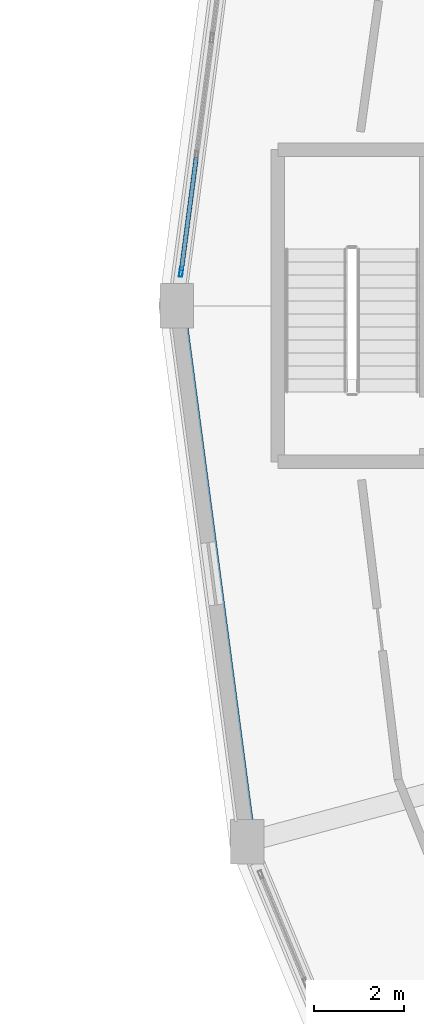
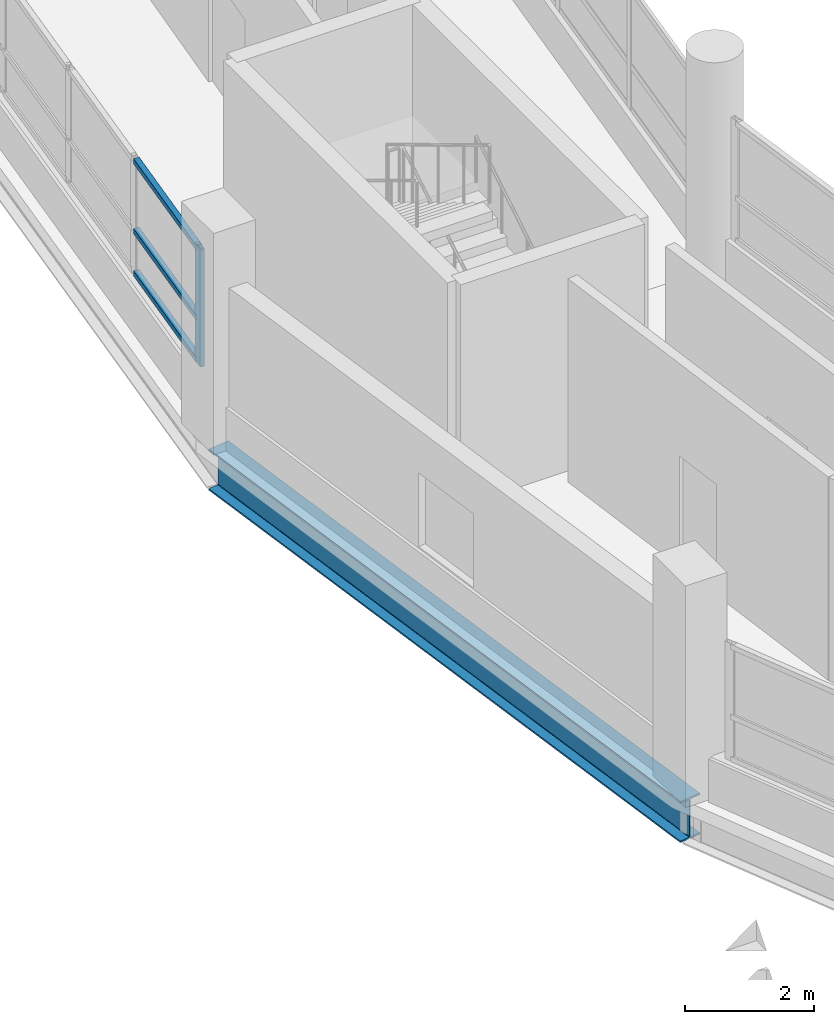
# One storey, part 29 of 128: 4 members, 1 beam, 1 element without a shape of its own.
"""IFC4 building model written with IfcOpenShell, lengths in metres."""

from ifc_helpers import new_model, si_unit, direction, frame, origin, origin_2d, place, context, subcontext, project, spatial, hollow_rectangle, i_section, extrude, material, layer, layer_set, material_profile, profile_set, type_object, element, aggregate, save


model = new_model("IFC4")

# Units and contexts
model_context = context("Model", 3, precision=1e-05, world=origin(), true_north=direction((0.0, 1.0)))
body_context = subcontext(model_context, "Body", "Model", "MODEL_VIEW")
ifc_project = project(units=[si_unit("LENGTHUNIT", "METRE"), si_unit("AREAUNIT", "SQUARE_METRE"), si_unit("VOLUMEUNIT", "CUBIC_METRE"), si_unit("PLANEANGLEUNIT", "RADIAN"), si_unit("MASSUNIT", "GRAM", prefix="KILO")], contexts=[model_context])

# Site, building, storey
site_placement = place(None, origin())
site = spatial("IfcSite", under=ifc_project, at=site_placement, CompositionType="ELEMENT")
building_placement = place(site_placement, origin())
building = spatial("IfcBuilding", under=site, at=building_placement, Name="Vespera Passage Community Centre", CompositionType="ELEMENT")
storey_placement = place(building_placement, frame((0.0, 0.0, 4.5)))
storey = spatial("IfcBuildingStorey", under=building, at=storey_placement, Name="L01", CompositionType="ELEMENT", Elevation=4.5)

# Beam
ifc_material_1 = material(Name="Steel ASTM A992 Grade 50", Category="steel")
ifc_material_profile_1 = material_profile(ifc_material_1, i_section(OverallWidth=0.382080078125, OverallDepth=0.779296875, WebThickness=0.01806640625, FlangeThickness=0.030029296875, FilletRadius=0.0166015625, at=origin_2d()), Name="W30X191")
ifc_profile_set_1 = profile_set([ifc_material_profile_1], Name="Steel ASTM A992 Grade 50")
beam_type = type_object("IfcBeamType", Name="BM-SP-W30X191E", PredefinedType="SPANDREL", material=ifc_profile_set_1)
beam_placement = place(storey_placement, frame((31.89990234375, 65.5, -0.629638671875), z_axis=(0.130523782115, -0.991445178667, 0.0), x_axis=(0.991445178667, 0.130523782115, 0.0)))
element("IfcBeam", 1, at=beam_placement, inside=storey, type_object=beam_type, Name="V4 L01 Outer Spandrel 12", PredefinedType="SPANDREL", context=body_context, shape_type="SweptSolid", body=[
    extrude(i_section(OverallWidth=0.382080078125, OverallDepth=0.779296875, WebThickness=0.01806640625, FlangeThickness=0.030029296875, FilletRadius=0.0166015625, at=origin_2d()), origin(), (0.0, 0.0, 1.0), 12.03466796875),
])

# Curtain wall, members
ifc_material_2 = material(Name="Anodized aluminium 6063-T6", Category="aluminium")
ifc_layer = layer(ifc_material_2, 0.159912109375)
ifc_layer_set = layer_set([ifc_layer], Name="Anodized aluminium 6063-T6")
curtain_wall_type = type_object("IfcCurtainWallType", Name="CW-21E", PredefinedType="NOTDEFINED", material=ifc_layer_set)
curtain_wall_placement = place(storey_placement, origin())
curtain_wall = element("IfcCurtainWall", 2, at=curtain_wall_placement, inside=storey, type_object=curtain_wall_type, Name="V4 L01 Outer Ribbon Curtain Wall 11", PredefinedType="NOTDEFINED")
ifc_material_3 = material(Name="Anodized aluminium 6063-T6", Category="aluminium")
ifc_material_profile_2 = material_profile(ifc_material_3, hollow_rectangle(XDim=0.074951171875, YDim=0.2099609375, WallThickness=0.0048828125, InnerFilletRadius=0.00244140625, OuterFilletRadius=0.0048828125, at=origin_2d()), Name="ALU210X75X5")
ifc_profile_set_2 = profile_set([ifc_material_profile_2], Name="Anodized aluminium 6063-T6")
member_type_1 = type_object("IfcMemberType", Name="MB-CWM-210E", PredefinedType="MULLION", material=ifc_profile_set_2)
member_1_placement = place(storey_placement, frame((31.998779296875, 66.25048828125, 0.820068359375), z_axis=(0.0, 0.0, 1.0), x_axis=(-0.991445298818, 0.130522869458, 0.0)))
member_1 = element("IfcMember", 3, at=member_1_placement, type_object=member_type_1, Name="CW-21E mullion 1", PredefinedType="MULLION", context=body_context, shape_type="SweptSolid", body=[
    extrude(hollow_rectangle(XDim=0.074951171875, YDim=0.2099609375, WallThickness=0.0048828125, InnerFilletRadius=0.00244140625, OuterFilletRadius=0.0048828125, at=origin_2d()), origin(), (0.0, 0.0, 1.0), 2.2255859375),
])
ifc_material_4 = material(Name="Anodized aluminium 6063-T6", Category="aluminium")
ifc_material_profile_3 = material_profile(ifc_material_4, hollow_rectangle(XDim=0.10009765625, YDim=0.10009765625, WallThickness=0.00390625, InnerFilletRadius=0.001953125, OuterFilletRadius=0.00390625, at=origin_2d()), Name="ALU100X100X4")
ifc_profile_set_3 = profile_set([ifc_material_profile_3], Name="Anodized aluminium 6063-T6")
member_type_2 = type_object("IfcMemberType", Name="MB-CWT-100E", PredefinedType="USERDEFINED", material=ifc_profile_set_3)
member_2_placement = place(storey_placement, frame((32.003662109375, 66.28759765625, 0.8701171875), z_axis=(0.130524231271, 0.991445119536, 0.0), x_axis=(-0.991445119536, 0.130524231271, 0.0)))
member_2 = element("IfcMember", 4, at=member_2_placement, type_object=member_type_2, Name="CW-21E transom 1.1", ObjectType="TRANSOM", PredefinedType="USERDEFINED", context=body_context, shape_type="SweptSolid", body=[
    extrude(hollow_rectangle(XDim=0.10009765625, YDim=0.10009765625, WallThickness=0.00390625, InnerFilletRadius=0.001953125, OuterFilletRadius=0.00390625, at=origin_2d()), origin(), (0.0, 0.0, 1.0), 2.536376953125),
])
member_3_placement = place(storey_placement, frame((32.003662109375, 66.28759765625, 1.669921875), z_axis=(0.130524231271, 0.991445119536, 0.0), x_axis=(-0.991445119536, 0.130524231271, 0.0)))
member_3 = element("IfcMember", 5, at=member_3_placement, type_object=member_type_2, Name="CW-21E transom 1.2", ObjectType="TRANSOM", PredefinedType="USERDEFINED", context=body_context, shape_type="SweptSolid", body=[
    extrude(hollow_rectangle(XDim=0.10009765625, YDim=0.10009765625, WallThickness=0.00390625, InnerFilletRadius=0.001953125, OuterFilletRadius=0.00390625, at=origin_2d()), origin(), (0.0, 0.0, 1.0), 2.536376953125),
])
member_4_placement = place(storey_placement, frame((32.003662109375, 66.28759765625, 2.99560546875), z_axis=(0.130524231271, 0.991445119536, 0.0), x_axis=(-0.991445119536, 0.130524231271, 0.0)))
member_4 = element("IfcMember", 6, at=member_4_placement, type_object=member_type_2, Name="CW-21E transom 1.3", ObjectType="TRANSOM", PredefinedType="USERDEFINED", context=body_context, shape_type="SweptSolid", body=[
    extrude(hollow_rectangle(XDim=0.10009765625, YDim=0.10009765625, WallThickness=0.00390625, InnerFilletRadius=0.001953125, OuterFilletRadius=0.00390625, at=origin_2d()), origin(), (0.0, 0.0, 1.0), 2.536376953125),
])
aggregate(curtain_wall, [member_1, member_2, member_3, member_4])

save(model, "model.ifc")
